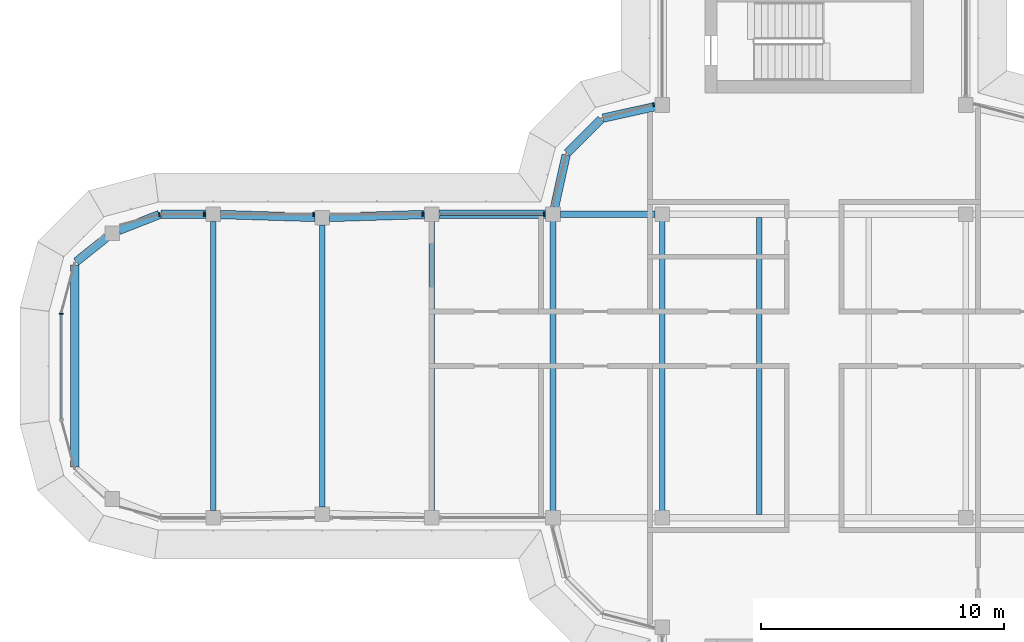
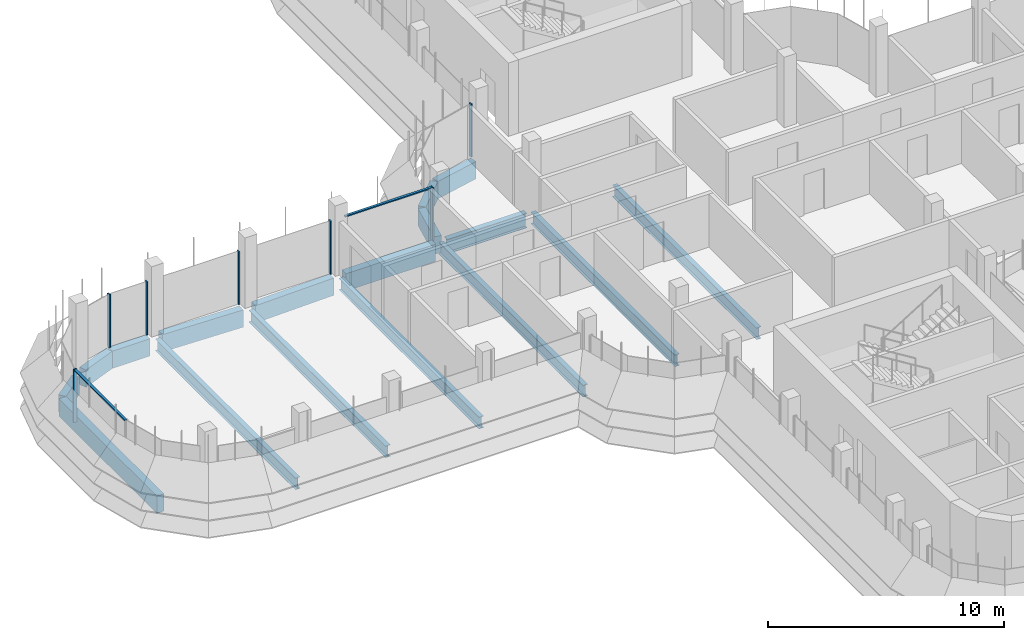
# One storey, part 6 of 19: 17 beams, 9 members, 4 elements without a shape of their own.
"""IFC4 building model written with IfcOpenShell, lengths in metres."""

import ifcopenshell
import ifcopenshell.guid

model = None  # the IFC model being written
_history = None  # IfcOwnerHistory: only IFC2X3 demands one
_inside = {}  # id of a spatial element -> (the spatial element, [elements in it])
_under = {}  # id of a project, library or spatial element -> (it, [spatial elements below it])
_declared = {}  # id of a project -> (the project, [libraries it declares])
_typed = {}  # id of a type object -> (the type object, [elements of that type])
_made_of = {}  # id of a material, layer set ... -> (it, [elements and type objects made of it])


def new_model(schema):
    """Start an empty IFC model of exactly this schema.

    Asked for "IFC4X3", IfcOpenShell would pick the latest addendum, in which some entities
    have other attributes; the version numbers below select the first issue.
    IFC2X3 requires an IfcOwnerHistory on every rooted entity: one is made here for all.
    """
    global model, _history
    if schema == "IFC4X3":
        model = ifcopenshell.file(schema_version=(4, 3, 0, 0))
    else:
        model = ifcopenshell.file(schema=schema)
    _inside.clear()
    _under.clear()
    _declared.clear()
    _typed.clear()
    _made_of.clear()
    _history = None
    if model.schema == "IFC2X3":
        org = make("IfcOrganization", Name="unknown")
        user = make(
            "IfcPersonAndOrganization",
            ThePerson=make("IfcPerson", FamilyName="unknown"),
            TheOrganization=org,
        )
        app = make(
            "IfcApplication",
            ApplicationDeveloper=org,
            Version="unknown",
            ApplicationFullName="unknown",
            ApplicationIdentifier="unknown",
        )
        _history = make(
            "IfcOwnerHistory",
            OwningUser=user,
            OwningApplication=app,
            ChangeAction="ADDED",
            CreationDate=0,
        )
    return model


def make(cls, **values):
    """One entity of the class cls with the attributes given. An attribute that is None is left unset."""
    return model.create_entity(
        cls, **{name: value for name, value in values.items() if value is not None}
    )


def rooted(cls, **values):
    """An entity with a GlobalId (a new one), such as an element, a storey or a relation."""
    return make(cls, GlobalId=ifcopenshell.guid.new(), OwnerHistory=_history, **values)


def si_unit(unit_type, name, prefix=None):
    """IfcSIUnit, for example si_unit("LENGTHUNIT", "METRE", prefix="MILLI")."""
    return make("IfcSIUnit", UnitType=unit_type, Prefix=prefix, Name=name)


def assignment(units):
    """IfcUnitAssignment: the units of a project."""
    return None if units is None else make("IfcUnitAssignment", Units=units)


def point(xyz):
    """IfcCartesianPoint."""
    return None if xyz is None else make("IfcCartesianPoint", Coordinates=xyz)


def direction(xyz):
    """IfcDirection."""
    return None if xyz is None else make("IfcDirection", DirectionRatios=xyz)


def frame(location, z_axis=None, x_axis=None):
    """IfcAxis2Placement3D, a coordinate frame: its origin and axes. An axis left out is left unset."""
    return make(
        "IfcAxis2Placement3D",
        Location=point(location),
        Axis=direction(z_axis),
        RefDirection=direction(x_axis),
    )


def frame_2d(location, x_axis=None):
    """IfcAxis2Placement2D, a coordinate frame in the plane: its origin and x axis."""
    return make(
        "IfcAxis2Placement2D", Location=point(location), RefDirection=direction(x_axis)
    )


def origin():
    """The frame at (0, 0, 0) with its axes left unset."""
    return frame((0.0, 0.0, 0.0))


def origin_2d():
    """The frame at (0, 0) in the plane with its x axis left unset."""
    return frame_2d((0.0, 0.0))


def place(relative_to, where):
    """IfcLocalPlacement: puts the frame where relative to a parent placement (None: the world)."""
    return make(
        "IfcLocalPlacement", PlacementRelTo=relative_to, RelativePlacement=where
    )


def context(
    kind, dimensions, precision=None, world=None, true_north=None, identifier=None
):
    """IfcGeometricRepresentationContext, for example the 3D "Model" context."""
    return make(
        "IfcGeometricRepresentationContext",
        ContextIdentifier=identifier,
        ContextType=kind,
        CoordinateSpaceDimension=dimensions,
        Precision=precision,
        WorldCoordinateSystem=world,
        TrueNorth=true_north,
    )


def subcontext(parent, identifier, kind, view, scale=None):
    """IfcGeometricRepresentationSubContext, for example "Body" below "Model"."""
    return make(
        "IfcGeometricRepresentationSubContext",
        ContextIdentifier=identifier,
        ContextType=kind,
        ParentContext=parent,
        TargetScale=scale,
        TargetView=view,
    )


def project(units=None, contexts=None):
    """IfcProject with its units and contexts."""
    return rooted(
        "IfcProject",
        Name="project",
        RepresentationContexts=contexts,
        UnitsInContext=assignment(units),
    )


def spatial(cls, under=None, at=None, **own):
    """A site, building, storey or space (cls), placed at a placement, below another one or the project."""
    s = rooted(cls, ObjectPlacement=at, **own)
    if under is not None:
        _under.setdefault(under.id(), (under, []))[1].append(s)
    return s


def polyline(points):
    """IfcPolyline through the points."""
    return make("IfcPolyline", Points=[point(p) for p in points])


def profile(cls, at=None, kind="AREA", **sizes):
    """A parametric profile (cls). Its sizes go by their IFC names, for example OverallWidth=200.0."""
    return make(cls, ProfileType=kind, Position=at, **sizes)


def rectangle(**sizes):
    """IfcRectangleProfileDef."""
    return profile("IfcRectangleProfileDef", **sizes)


def i_section(**sizes):
    """IfcIShapeProfileDef."""
    return profile("IfcIShapeProfileDef", **sizes)


def outline(outer, holes=None, kind="AREA"):
    """IfcArbitraryClosedProfileDef: a profile drawn as a closed curve; with holes, ...WithVoids."""
    if holes is None:
        return make("IfcArbitraryClosedProfileDef", ProfileType=kind, OuterCurve=outer)
    return make(
        "IfcArbitraryProfileDefWithVoids",
        ProfileType=kind,
        OuterCurve=outer,
        InnerCurves=holes,
    )


def extrude(swept, where, along, depth):
    """IfcExtrudedAreaSolid: the profile swept, set in the frame where, extruded along a direction by depth."""
    return make(
        "IfcExtrudedAreaSolid",
        SweptArea=swept,
        Position=where,
        ExtrudedDirection=direction(along),
        Depth=depth,
    )


def shape(context_of_items, identifier, shape_type, items):
    """IfcShapeRepresentation: the items that make up one representation, for example the "Body"."""
    return make(
        "IfcShapeRepresentation",
        ContextOfItems=context_of_items,
        RepresentationIdentifier=identifier,
        RepresentationType=shape_type,
        Items=items,
    )


def source(mapping_origin, context_of_items, identifier, shape_type, items):
    """IfcRepresentationMap: a shape defined once, which mapped items show again and again."""
    return make(
        "IfcRepresentationMap",
        MappingOrigin=mapping_origin,
        MappedRepresentation=shape(context_of_items, identifier, shape_type, items),
    )


def transform(
    local_origin,
    x_axis=None,
    y_axis=None,
    z_axis=None,
    scale=None,
    scale2=None,
    scale3=None,
    uniform=True,
):
    """IfcCartesianTransformationOperator3D, or its non-uniform kind. x_axis, y_axis, z_axis: its Axis1, 2, 3."""
    if uniform:
        return make(
            "IfcCartesianTransformationOperator3D",
            Axis1=direction(x_axis),
            Axis2=direction(y_axis),
            LocalOrigin=point(local_origin),
            Scale=scale,
            Axis3=direction(z_axis),
        )
    return make(
        "IfcCartesianTransformationOperator3DnonUniform",
        Axis1=direction(x_axis),
        Axis2=direction(y_axis),
        LocalOrigin=point(local_origin),
        Scale=scale,
        Axis3=direction(z_axis),
        Scale2=scale2,
        Scale3=scale3,
    )


def mapped(mapping_source, mapping_target):
    """IfcMappedItem: shows the shape of a source again, moved by a transform."""
    return make(
        "IfcMappedItem", MappingSource=mapping_source, MappingTarget=mapping_target
    )


def material(Name=None, Category=None):
    """IfcMaterial."""
    return make("IfcMaterial", Name=Name, Category=Category)


def material_profile(
    of_material, cross_section, Name=None, Category=None, Priority=None
):
    """IfcMaterialProfile: a cross section and its material."""
    return make(
        "IfcMaterialProfile",
        Name=Name,
        Material=of_material,
        Profile=cross_section,
        Priority=Priority,
        Category=Category,
    )


def profile_set(profiles, Name=None, composite=None):
    """IfcMaterialProfileSet."""
    return make(
        "IfcMaterialProfileSet",
        Name=Name,
        MaterialProfiles=profiles,
        CompositeProfile=composite,
    )


def made_of(thing, what):
    """Note that an element or type object is made of a material, layer set ...; save() writes the relation."""
    if what is not None:
        _made_of.setdefault(what.id(), (what, []))[1].append(thing)
    return thing


def type_object(cls, material=None, **own):
    """A type object (cls), such as IfcWallType, which elements share."""
    return made_of(rooted(cls, **own), material)


def element(
    cls,
    number,
    at=None,
    inside=None,
    cuts=None,
    type_object=None,
    material=None,
    context=None,
    identifier="Body",
    shape_type=None,
    held_by="IfcProductDefinitionShape",
    body=None,
    shapes=None,
    **own,
):
    """One element of the class cls, such as IfcWall. Its Tag is "e" and its number.

    at: its placement. inside: the storey or other place that contains it. cuts: it is an
    opening in that element (IfcRelVoidsElement). A single representation is given by context,
    identifier, shape_type and body (its items); several are given by shapes. held_by: the class
    of the entity that holds the representations. save() writes the other relations.
    """
    e = rooted(cls, Tag="e%d" % number, ObjectPlacement=at, **own)
    if body is not None:
        shapes = [shape(context, identifier, shape_type, body)]
    if shapes is not None:
        e.Representation = make(held_by, Representations=shapes)
    if inside is not None:
        _inside.setdefault(inside.id(), (inside, []))[1].append(e)
    if cuts is not None:
        rooted(
            "IfcRelVoidsElement", RelatingBuildingElement=cuts, RelatedOpeningElement=e
        )
    if type_object is not None:
        _typed.setdefault(type_object.id(), (type_object, []))[1].append(e)
    return made_of(e, material)


def aggregate(whole, parts):
    """IfcRelAggregates: a whole, such as a stair, and the parts it consists of."""
    return rooted("IfcRelAggregates", RelatingObject=whole, RelatedObjects=parts)


def save(model, path):
    """Write the relations noted so far, then the file.

    IfcRelAggregates (storeys below a building ...), IfcRelContainedInSpatialStructure (elements
    in a storey), IfcRelDefinesByType, IfcRelAssociatesMaterial and IfcRelDeclares: one each for
    every whole, place, type object, material and project.
    """
    for whole, parts in _under.values():
        aggregate(whole, parts)
    for where, things in _inside.values():
        rooted(
            "IfcRelContainedInSpatialStructure",
            RelatedElements=things,
            RelatingStructure=where,
        )
    for kind, things in _typed.values():
        rooted("IfcRelDefinesByType", RelatedObjects=things, RelatingType=kind)
    for what, things in _made_of.values():
        rooted("IfcRelAssociatesMaterial", RelatedObjects=things, RelatingMaterial=what)
    for by, libraries in _declared.values():
        rooted("IfcRelDeclares", RelatingContext=by, RelatedDefinitions=libraries)
    model.write(path)


model = new_model("IFC4")

# Units and contexts
model_context = context("Model", 3, precision=1e-05, world=origin(), true_north=direction((0.0, 1.0)))
body_context = subcontext(model_context, "Body", "Model", "MODEL_VIEW")
ifc_project = project(units=[si_unit("LENGTHUNIT", "METRE"), si_unit("AREAUNIT", "SQUARE_METRE"), si_unit("VOLUMEUNIT", "CUBIC_METRE"), si_unit("PLANEANGLEUNIT", "RADIAN"), si_unit("MASSUNIT", "GRAM", prefix="KILO")], contexts=[model_context])

# Site, building, storey
site_placement = place(None, origin())
site = spatial("IfcSite", under=ifc_project, at=site_placement, CompositionType="ELEMENT")
building_placement = place(site_placement, origin())
building = spatial("IfcBuilding", under=site, at=building_placement, Name="Zarbagh Exchange Tower", CompositionType="ELEMENT")
storey_placement = place(building_placement, frame((0.0, 0.0, 253.60009765625)))
storey = spatial("IfcBuildingStorey", under=building, at=storey_placement, Name="L62", CompositionType="ELEMENT", Elevation=253.60009765625)

# Beams
ifc_material_1 = material(Name="Steel ASTM A992 Gr 50", Category="steel")
ifc_material_profile_1 = material_profile(ifc_material_1, i_section(OverallWidth=0.228271484375, OverallDepth=0.607177734375, WebThickness=0.01123046875, FlangeThickness=0.017333984375, at=origin_2d()), Name="W24X76")
ifc_profile_set_1 = profile_set([ifc_material_profile_1], Name="Steel ASTM A992 Gr 50")
beam_type_1 = type_object("IfcBeamType", Name="Floor beam W24X76", PredefinedType="BEAM", material=ifc_profile_set_1)
for number, where, z_axis, x_axis, name in (
    (1, (-10.75, -6.11669921875, -0.45361328125), (0.0, 1.0, 0.0), (-1.0, 0.0, 0.0), "Steel floor beam"),
    (2, (-6.25, -6.11669921875, -0.45361328125), (0.0, 1.0, 0.0), (-1.0, 0.0, 0.0), "Steel floor beam"),
    (3, (-2.25, -6.11669921875, -0.45361328125), (0.0, 1.0, 0.0), (-1.0, 0.0, 0.0), "Steel floor beam"),
):
    element("IfcBeam", number, at=place(storey_placement, frame(where, z_axis=z_axis, x_axis=x_axis)), inside=storey, type_object=beam_type_1, Name=name, PredefinedType="BEAM", context=body_context, shape_type="SweptSolid", body=[
        extrude(i_section(OverallWidth=0.228271484375, OverallDepth=0.607177734375, WebThickness=0.01123046875, FlangeThickness=0.017333984375, at=origin_2d()), origin(), (0.0, 0.0, 1.0), 12.2333984375),
    ])
beam_1_placement = place(storey_placement, frame((-15.75, -5.949951171875, -0.45361328125), z_axis=(0.0, 1.0, 0.0), x_axis=(-1.0, 0.0, 0.0)))
element("IfcBeam", 4, at=beam_1_placement, inside=storey, type_object=beam_type_1, Name="Steel floor beam", PredefinedType="BEAM", context=body_context, shape_type="SweptSolid", body=[
    extrude(i_section(OverallWidth=0.228271484375, OverallDepth=0.607177734375, WebThickness=0.01123046875, FlangeThickness=0.017333984375, at=origin_2d()), origin(), (0.0, 0.0, 1.0), 11.89990234375),
])
beam_2_placement = place(storey_placement, frame((-20.25, -5.81005859375, -0.45361328125), z_axis=(0.0, 1.0, 0.0), x_axis=(-1.0, 0.0, 0.0)))
element("IfcBeam", 5, at=beam_2_placement, inside=storey, type_object=beam_type_1, Name="Steel floor beam", PredefinedType="BEAM", context=body_context, shape_type="SweptSolid", body=[
    extrude(i_section(OverallWidth=0.228271484375, OverallDepth=0.607177734375, WebThickness=0.01123046875, FlangeThickness=0.017333984375, at=origin_2d()), origin(), (0.0, 0.0, 1.0), 11.6201171875),
])
beam_3_placement = place(storey_placement, frame((-24.75, -5.949951171875, -0.45361328125), z_axis=(0.0, 1.0, 0.0), x_axis=(-1.0, 0.0, 0.0)))
element("IfcBeam", 6, at=beam_3_placement, inside=storey, type_object=beam_type_1, Name="Steel floor beam", PredefinedType="BEAM", context=body_context, shape_type="SweptSolid", body=[
    extrude(i_section(OverallWidth=0.228271484375, OverallDepth=0.607177734375, WebThickness=0.01123046875, FlangeThickness=0.017333984375, at=origin_2d()), origin(), (0.0, 0.0, 1.0), 11.89990234375),
])
ifc_material_profile_2 = material_profile(ifc_material_1, i_section(OverallWidth=0.2666015625, OverallDepth=0.7568359375, WebThickness=0.013916015625, FlangeThickness=0.019287109375, at=origin_2d()), Name="W30X108")
ifc_profile_set_2 = profile_set([ifc_material_profile_2], Name="Steel ASTM A992 Gr 50")
beam_type_2 = type_object("IfcBeamType", Name="Floor girder W30X108", PredefinedType="BEAM", material=ifc_profile_set_2)
beam_4_placement = place(storey_placement, frame((-10.449951171875, 6.25, -0.528564453125), z_axis=(1.0, 0.0, 0.0), x_axis=(0.0, 1.0, 0.0)))
element("IfcBeam", 7, at=beam_4_placement, inside=storey, type_object=beam_type_2, Name="Steel girder", PredefinedType="BEAM", context=body_context, shape_type="SweptSolid", body=[
    extrude(i_section(OverallWidth=0.2666015625, OverallDepth=0.7568359375, WebThickness=0.013916015625, FlangeThickness=0.019287109375, at=origin_2d()), origin(), (0.0, 0.0, 1.0), 3.89990234375),
])
ifc_material_2 = material(Name="Concrete C40/50", Category="concrete")
ifc_material_profile_3 = material_profile(ifc_material_2, rectangle(XDim=0.35009765625, YDim=0.89990234375, at=origin_2d()), Name="RC spandrel beam 350 x 900 C40/50")
ifc_profile_set_3 = profile_set([ifc_material_profile_3], Name="Concrete C40/50")
beam_type_3 = type_object("IfcBeamType", Name="RC spandrel beam 350 x 900 C40/50", PredefinedType="SPANDREL", material=ifc_profile_set_3)
beam_5_placement = place(storey_placement, frame((-30.44873046875, -4.156982421875, -0.60009765625), z_axis=(0.0, 1.0, 0.0), x_axis=(-1.0, 0.0, 0.0)))
element("IfcBeam", 8, at=beam_5_placement, inside=storey, type_object=beam_type_3, Name="RC spandrel beam", PredefinedType="SPANDREL", context=body_context, shape_type="SweptSolid", body=[
    extrude(rectangle(XDim=0.35009765625, YDim=0.89990234375, at=origin_2d()), origin(), (0.0, 0.0, 1.0), 8.31396484375),
])
beam_6_placement = place(storey_placement, frame((-30.38330078125, 4.293701171875, -0.60009765625), z_axis=(0.780584122498, 0.625050740104, 0.0), x_axis=(-0.625050740104, 0.780584122498, 0.0)))
element("IfcBeam", 9, at=beam_6_placement, inside=storey, type_object=beam_type_3, Name="RC spandrel beam", PredefinedType="SPANDREL", context=body_context, shape_type="SweptSolid", body=[
    extrude(rectangle(XDim=0.35009765625, YDim=0.89990234375, at=origin_2d()), origin(), (0.0, 0.0, 1.0), 1.590087890625),
])
beam_7_placement = place(storey_placement, frame((-28.62890625, 5.584716796875, -0.60009765625), z_axis=(0.930859366381, 0.365377667655, 0.0), x_axis=(-0.365377667655, 0.930859366381, 0.0)))
element("IfcBeam", 10, at=beam_7_placement, inside=storey, type_object=beam_type_3, Name="RC spandrel beam", PredefinedType="SPANDREL", context=body_context, shape_type="SweptSolid", body=[
    extrude(rectangle(XDim=0.35009765625, YDim=0.89990234375, at=origin_2d()), origin(), (0.0, 0.0, 1.0), 1.787353515625),
])
beam_8_placement = place(storey_placement, frame((-26.90087890625, 6.25, -0.60009765625), z_axis=(1.0, 0.0, 0.0), x_axis=(0.0, 1.0, 0.0)))
element("IfcBeam", 11, at=beam_8_placement, inside=storey, type_object=beam_type_3, Name="RC spandrel beam", PredefinedType="SPANDREL", context=body_context, shape_type="SweptSolid", body=[
    extrude(rectangle(XDim=0.35009765625, YDim=0.89990234375, at=origin_2d()), origin(), (0.0, 0.0, 1.0), 1.850830078125),
])
for number, where, z_axis, x_axis, name in (
    (12, (-24.4501953125, 6.24072265625, -0.60009765625), (0.999516460907, -0.031094121249, 0.0), (0.031094121249, 0.999516460907, 0.0), "RC spandrel beam"),
    (13, (-19.9501953125, 6.119384765625, -0.60009765625), (0.999516460907, 0.031094121249, 0.0), (-0.031094121249, 0.999516460907, 0.0), "RC spandrel beam"),
):
    element("IfcBeam", number, at=place(storey_placement, frame(where, z_axis=z_axis, x_axis=x_axis)), inside=storey, type_object=beam_type_3, Name=name, PredefinedType="SPANDREL", context=body_context, shape_type="SweptSolid", body=[
        extrude(rectangle(XDim=0.35009765625, YDim=0.89990234375, at=origin_2d()), origin(), (0.0, 0.0, 1.0), 3.90234375),
    ])
beam_9_placement = place(storey_placement, frame((-15.449951171875, 6.25, -0.60009765625), z_axis=(1.0, 0.0, 0.0), x_axis=(0.0, 1.0, 0.0)))
element("IfcBeam", 14, at=beam_9_placement, inside=storey, type_object=beam_type_3, Name="RC spandrel beam", PredefinedType="SPANDREL", context=body_context, shape_type="SweptSolid", body=[
    extrude(rectangle(XDim=0.35009765625, YDim=0.89990234375, at=origin_2d()), origin(), (0.0, 0.0, 1.0), 4.39990234375),
])
beam_10_placement = place(storey_placement, frame((-10.685302734375, 6.54296875, -0.60009765625), z_axis=(0.216025770228, 0.976387662047, 0.0), x_axis=(-0.976387662047, 0.216025770228, 0.0)))
element("IfcBeam", 15, at=beam_10_placement, inside=storey, type_object=beam_type_3, Name="RC spandrel beam", PredefinedType="SPANDREL", context=body_context, shape_type="SweptSolid", body=[
    extrude(rectangle(XDim=0.35009765625, YDim=0.89990234375, at=origin_2d()), origin(), (0.0, 0.0, 1.0), 2.200439453125),
])
beam_11_placement = place(storey_placement, frame((-10.16259765625, 8.77734375, -0.60009765625), z_axis=(0.707106781187, 0.707106781187, 0.0), x_axis=(-0.707106781187, 0.707106781187, 0.0)))
element("IfcBeam", 16, at=beam_11_placement, inside=storey, type_object=beam_type_3, Name="RC spandrel beam", PredefinedType="SPANDREL", context=body_context, shape_type="SweptSolid", body=[
    extrude(rectangle(XDim=0.35009765625, YDim=0.89990234375, at=origin_2d()), origin(), (0.0, 0.0, 1.0), 1.958984375),
])
beam_12_placement = place(storey_placement, frame((-8.69140625, 10.2099609375, -0.60009765625), z_axis=(0.976387662047, 0.216025770228, 0.0), x_axis=(-0.216025770228, 0.976387662047, 0.0)))
element("IfcBeam", 17, at=beam_12_placement, inside=storey, type_object=beam_type_3, Name="RC spandrel beam", PredefinedType="SPANDREL", context=body_context, shape_type="SweptSolid", body=[
    extrude(rectangle(XDim=0.35009765625, YDim=0.89990234375, at=origin_2d()), origin(), (0.0, 0.0, 1.0), 2.200439453125),
])

# Curtain wall, member
ifc_material_3 = material(Name="Anodised aluminium frame and glazing", Category="aluminium")
curtain_wall_type = type_object("IfcCurtainWallType", Name="CWB Ribbon glazing, upper zones", PredefinedType="NOTDEFINED", material=ifc_material_3)
curtain_wall_1_placement = place(storey_placement, origin())
curtain_wall_1 = element("IfcCurtainWall", 18, at=curtain_wall_1_placement, inside=storey, type_object=curtain_wall_type, Name="CWB29 curtain wall", PredefinedType="NOTDEFINED")
ifc_material_4 = material(Name="Anodised aluminium frame", Category="aluminium")
member_type_1 = type_object("IfcMemberType", Name="MUB Mullion, anodised aluminium frame", PredefinedType="MULLION", material=ifc_material_4)
shared_shape_1 = source(origin(), body_context, "Body", "SweptSolid", [
    extrude(outline(polyline([(0.0, -0.080078125), (0.06005859375, -0.080078125), (0.06005859375, 0.080078125), (0.0, 0.080078125), (0.0, -0.080078125)])), origin(), (0.0, 0.0, 1.0), 2.75),
])
placement = place(storey_placement, origin())
member_1 = element("IfcMember", 19, at=placement, type_object=member_type_1, Name="CWB29 mullion 1.1", PredefinedType="MULLION", context=body_context, shape_type="MappedRepresentation", body=[
    mapped(shared_shape_1, transform((-6.590087890625, 10.775146484375, 0.0), x_axis=(-0.965924289636, -0.258824779902, 0.0), y_axis=(0.258824779902, -0.965924289636, 0.0), z_axis=(0.0, 0.0, 1.0))),
])
aggregate(curtain_wall_1, [member_1])

# Curtain wall, members
curtain_wall_2_placement = place(storey_placement, origin())
curtain_wall_2 = element("IfcCurtainWall", 20, at=curtain_wall_2_placement, inside=storey, type_object=curtain_wall_type, Name="CWB58 curtain wall", PredefinedType="NOTDEFINED")
member_2 = element("IfcMember", 21, at=placement, type_object=member_type_1, Name="CWB58 mullion 1.1", PredefinedType="MULLION", context=body_context, shape_type="MappedRepresentation", body=[
    mapped(shared_shape_1, transform((-11.090087890625, 6.25, 0.0), x_axis=(-1.0, 0.0, 0.0), y_axis=(0.0, -1.0, 0.0), z_axis=(0.0, 0.0, 1.0))),
])
member_3 = element("IfcMember", 22, at=placement, type_object=member_type_1, Name="CWB58 mullion 2.1", PredefinedType="MULLION", context=body_context, shape_type="MappedRepresentation", body=[
    mapped(shared_shape_1, transform((-16.090087890625, 6.25, 0.0), x_axis=(-1.0, 0.0, 0.0), y_axis=(0.0, -1.0, 0.0), z_axis=(0.0, 0.0, 1.0))),
])
member_4 = element("IfcMember", 23, at=placement, type_object=member_type_1, Name="CWB58 mullion 3.1", PredefinedType="MULLION", context=body_context, shape_type="MappedRepresentation", body=[
    mapped(shared_shape_1, transform((-20.590087890625, 6.25, 0.0), x_axis=(-1.0, 0.0, 0.0), y_axis=(0.0, -1.0, 0.0), z_axis=(0.0, 0.0, 1.0))),
])
member_5 = element("IfcMember", 24, at=placement, type_object=member_type_1, Name="CWB58 mullion 4.1", PredefinedType="MULLION", context=body_context, shape_type="MappedRepresentation", body=[
    mapped(shared_shape_1, transform((-25.090087890625, 6.25, 0.0), x_axis=(-1.0, 0.0, 0.0), y_axis=(0.0, -1.0, 0.0), z_axis=(0.0, 0.0, 1.0))),
])

# Curtain wall, member
curtain_wall_3_placement = place(storey_placement, origin())
curtain_wall_3 = element("IfcCurtainWall", 25, at=curtain_wall_3_placement, inside=storey, type_object=curtain_wall_type, Name="CWB59 curtain wall", PredefinedType="NOTDEFINED")
member_6 = element("IfcMember", 26, at=placement, type_object=member_type_1, Name="CWB59 mullion 1.1", PredefinedType="MULLION", context=body_context, shape_type="MappedRepresentation", body=[
    mapped(shared_shape_1, transform((-26.93408203125, 6.25, 0.0), x_axis=(-0.965924289636, -0.258824779902, 0.0), y_axis=(0.258824779902, -0.965924289636, 0.0), z_axis=(0.0, 0.0, 1.0))),
])
aggregate(curtain_wall_3, [member_6])

# Curtain wall, members
curtain_wall_4_placement = place(storey_placement, origin())
curtain_wall_4 = element("IfcCurtainWall", 27, at=curtain_wall_4_placement, inside=storey, type_object=curtain_wall_type, Name="CWB66 curtain wall", PredefinedType="NOTDEFINED")
member_7 = element("IfcMember", 28, at=placement, type_object=member_type_1, Name="CWB66 mullion 1.1", PredefinedType="MULLION", context=body_context, shape_type="MappedRepresentation", body=[
    mapped(shared_shape_1, transform((-31.0, 2.18408203125, 0.0), x_axis=(0.0, -1.0, 0.0), y_axis=(1.0, 0.0, 0.0), z_axis=(0.0, 0.0, 1.0))),
])
member_type_2 = type_object("IfcMemberType", Name="TRB Transom, anodised aluminium frame", PredefinedType="USERDEFINED", material=ifc_material_4)
shared_shape_2 = source(origin(), body_context, "Body", "SweptSolid", [
    extrude(outline(polyline([(-0.06005859375, -0.06005859375), (0.0, -0.06005859375), (0.0, 0.06005859375), (-0.06005859375, 0.06005859375), (-0.06005859375, -0.06005859375)])), origin(), (0.0, 0.0, 1.0), 4.308349609375),
])
member_8 = element("IfcMember", 29, at=placement, type_object=member_type_2, Name="CWB66 transom 1.1", ObjectType="TRANSOM", PredefinedType="USERDEFINED", context=body_context, shape_type="MappedRepresentation", body=[
    mapped(shared_shape_2, transform((-31.0, 2.124267578125, 2.75), x_axis=(0.0, 0.0, 1.0), y_axis=(-1.0, 0.0, 0.0), z_axis=(0.0, -1.0, 0.0))),
])
aggregate(curtain_wall_4, [member_7, member_8])

# Member
shared_shape_3 = source(origin(), body_context, "Body", "SweptSolid", [
    extrude(outline(polyline([(-0.06005859375, -0.06005859375), (0.0, -0.06005859375), (0.0, 0.06005859375), (-0.06005859375, 0.06005859375), (-0.06005859375, -0.06005859375)])), origin(), (0.0, 0.0, 1.0), 4.260009765625),
])
member_9 = element("IfcMember", 30, at=placement, type_object=member_type_2, Name="CWB58 transom 1.1", ObjectType="TRANSOM", PredefinedType="USERDEFINED", context=body_context, shape_type="MappedRepresentation", body=[
    mapped(shared_shape_3, transform((-11.150146484375, 6.25, 2.75), x_axis=(0.0, 0.0, 1.0), y_axis=(0.0, 1.0, 0.0), z_axis=(-1.0, 0.0, 0.0))),
])

aggregate(curtain_wall_2, [member_2, member_9, member_3, member_4, member_5])

save(model, "model.ifc")
